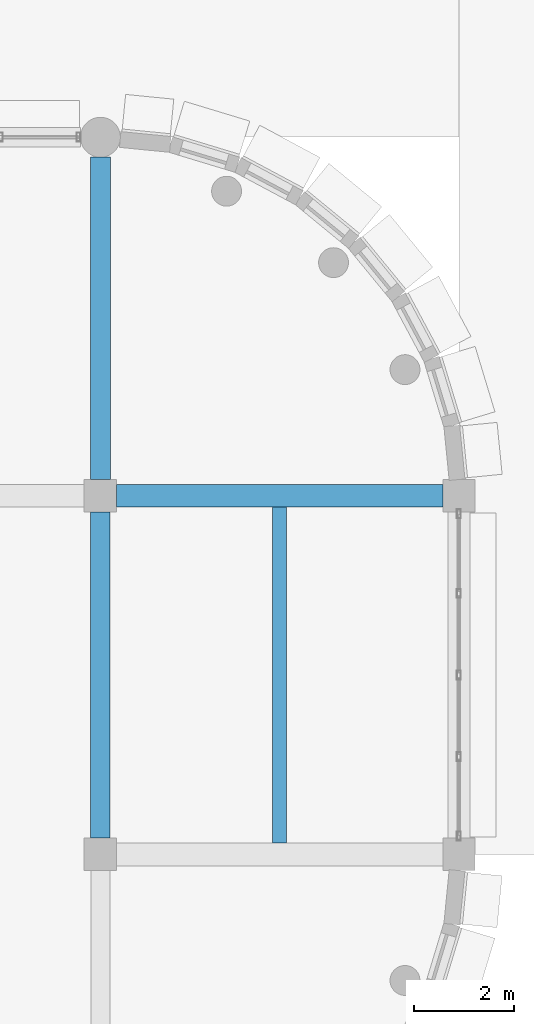
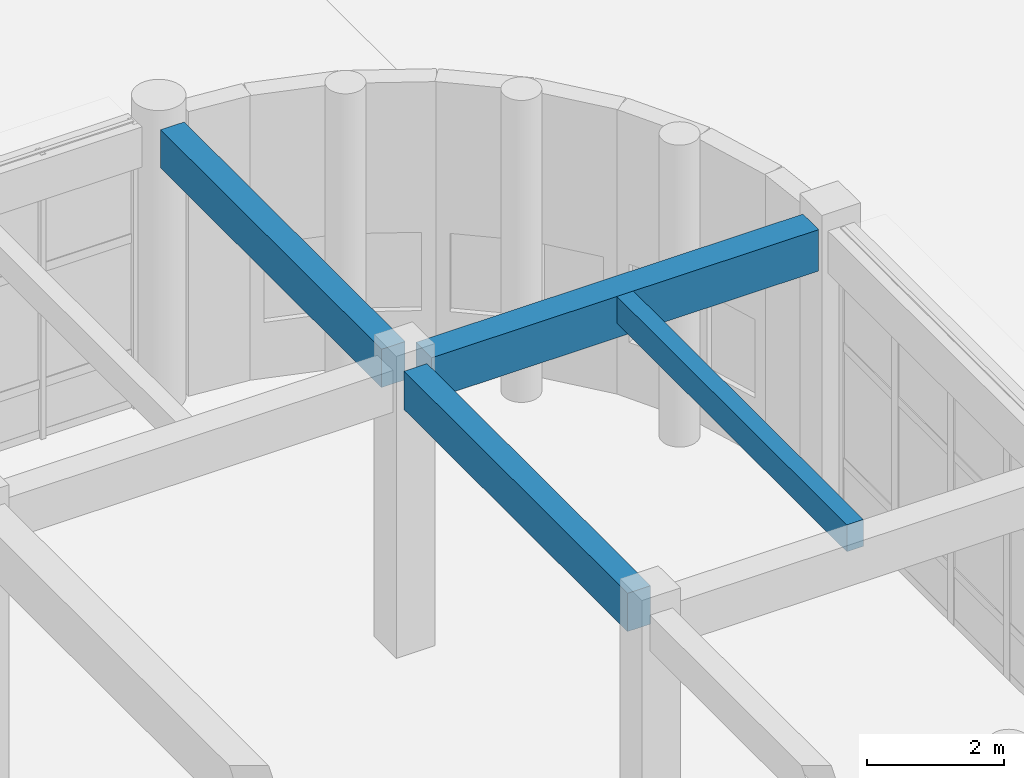
# One storey, part 71 of 160: 4 beams.
"""IFC4 building model written with IfcOpenShell, lengths in metres."""

import ifcopenshell
import ifcopenshell.guid

model = None  # the IFC model being written
_history = None  # IfcOwnerHistory: only IFC2X3 demands one
_inside = {}  # id of a spatial element -> (the spatial element, [elements in it])
_under = {}  # id of a project, library or spatial element -> (it, [spatial elements below it])
_declared = {}  # id of a project -> (the project, [libraries it declares])
_typed = {}  # id of a type object -> (the type object, [elements of that type])
_made_of = {}  # id of a material, layer set ... -> (it, [elements and type objects made of it])


def new_model(schema):
    """Start an empty IFC model of exactly this schema.

    Asked for "IFC4X3", IfcOpenShell would pick the latest addendum, in which some entities
    have other attributes; the version numbers below select the first issue.
    IFC2X3 requires an IfcOwnerHistory on every rooted entity: one is made here for all.
    """
    global model, _history
    if schema == "IFC4X3":
        model = ifcopenshell.file(schema_version=(4, 3, 0, 0))
    else:
        model = ifcopenshell.file(schema=schema)
    _inside.clear()
    _under.clear()
    _declared.clear()
    _typed.clear()
    _made_of.clear()
    _history = None
    if model.schema == "IFC2X3":
        org = make("IfcOrganization", Name="unknown")
        user = make(
            "IfcPersonAndOrganization",
            ThePerson=make("IfcPerson", FamilyName="unknown"),
            TheOrganization=org,
        )
        app = make(
            "IfcApplication",
            ApplicationDeveloper=org,
            Version="unknown",
            ApplicationFullName="unknown",
            ApplicationIdentifier="unknown",
        )
        _history = make(
            "IfcOwnerHistory",
            OwningUser=user,
            OwningApplication=app,
            ChangeAction="ADDED",
            CreationDate=0,
        )
    return model


def make(cls, **values):
    """One entity of the class cls with the attributes given. An attribute that is None is left unset."""
    return model.create_entity(
        cls, **{name: value for name, value in values.items() if value is not None}
    )


def rooted(cls, **values):
    """An entity with a GlobalId (a new one), such as an element, a storey or a relation."""
    return make(cls, GlobalId=ifcopenshell.guid.new(), OwnerHistory=_history, **values)


def si_unit(unit_type, name, prefix=None):
    """IfcSIUnit, for example si_unit("LENGTHUNIT", "METRE", prefix="MILLI")."""
    return make("IfcSIUnit", UnitType=unit_type, Prefix=prefix, Name=name)


def assignment(units):
    """IfcUnitAssignment: the units of a project."""
    return None if units is None else make("IfcUnitAssignment", Units=units)


def point(xyz):
    """IfcCartesianPoint."""
    return None if xyz is None else make("IfcCartesianPoint", Coordinates=xyz)


def direction(xyz):
    """IfcDirection."""
    return None if xyz is None else make("IfcDirection", DirectionRatios=xyz)


def frame(location, z_axis=None, x_axis=None):
    """IfcAxis2Placement3D, a coordinate frame: its origin and axes. An axis left out is left unset."""
    return make(
        "IfcAxis2Placement3D",
        Location=point(location),
        Axis=direction(z_axis),
        RefDirection=direction(x_axis),
    )


def frame_2d(location, x_axis=None):
    """IfcAxis2Placement2D, a coordinate frame in the plane: its origin and x axis."""
    return make(
        "IfcAxis2Placement2D", Location=point(location), RefDirection=direction(x_axis)
    )


def origin():
    """The frame at (0, 0, 0) with its axes left unset."""
    return frame((0.0, 0.0, 0.0))


def origin_2d():
    """The frame at (0, 0) in the plane with its x axis left unset."""
    return frame_2d((0.0, 0.0))


def place(relative_to, where):
    """IfcLocalPlacement: puts the frame where relative to a parent placement (None: the world)."""
    return make(
        "IfcLocalPlacement", PlacementRelTo=relative_to, RelativePlacement=where
    )


def context(
    kind, dimensions, precision=None, world=None, true_north=None, identifier=None
):
    """IfcGeometricRepresentationContext, for example the 3D "Model" context."""
    return make(
        "IfcGeometricRepresentationContext",
        ContextIdentifier=identifier,
        ContextType=kind,
        CoordinateSpaceDimension=dimensions,
        Precision=precision,
        WorldCoordinateSystem=world,
        TrueNorth=true_north,
    )


def subcontext(parent, identifier, kind, view, scale=None):
    """IfcGeometricRepresentationSubContext, for example "Body" below "Model"."""
    return make(
        "IfcGeometricRepresentationSubContext",
        ContextIdentifier=identifier,
        ContextType=kind,
        ParentContext=parent,
        TargetScale=scale,
        TargetView=view,
    )


def project(units=None, contexts=None):
    """IfcProject with its units and contexts."""
    return rooted(
        "IfcProject",
        Name="project",
        RepresentationContexts=contexts,
        UnitsInContext=assignment(units),
    )


def spatial(cls, under=None, at=None, **own):
    """A site, building, storey or space (cls), placed at a placement, below another one or the project."""
    s = rooted(cls, ObjectPlacement=at, **own)
    if under is not None:
        _under.setdefault(under.id(), (under, []))[1].append(s)
    return s


def profile(cls, at=None, kind="AREA", **sizes):
    """A parametric profile (cls). Its sizes go by their IFC names, for example OverallWidth=200.0."""
    return make(cls, ProfileType=kind, Position=at, **sizes)


def rectangle(**sizes):
    """IfcRectangleProfileDef."""
    return profile("IfcRectangleProfileDef", **sizes)


def extrude(swept, where, along, depth):
    """IfcExtrudedAreaSolid: the profile swept, set in the frame where, extruded along a direction by depth."""
    return make(
        "IfcExtrudedAreaSolid",
        SweptArea=swept,
        Position=where,
        ExtrudedDirection=direction(along),
        Depth=depth,
    )


def shape(context_of_items, identifier, shape_type, items):
    """IfcShapeRepresentation: the items that make up one representation, for example the "Body"."""
    return make(
        "IfcShapeRepresentation",
        ContextOfItems=context_of_items,
        RepresentationIdentifier=identifier,
        RepresentationType=shape_type,
        Items=items,
    )


def material(Name=None, Category=None):
    """IfcMaterial."""
    return make("IfcMaterial", Name=Name, Category=Category)


def material_profile(
    of_material, cross_section, Name=None, Category=None, Priority=None
):
    """IfcMaterialProfile: a cross section and its material."""
    return make(
        "IfcMaterialProfile",
        Name=Name,
        Material=of_material,
        Profile=cross_section,
        Priority=Priority,
        Category=Category,
    )


def profile_set(profiles, Name=None, composite=None):
    """IfcMaterialProfileSet."""
    return make(
        "IfcMaterialProfileSet",
        Name=Name,
        MaterialProfiles=profiles,
        CompositeProfile=composite,
    )


def made_of(thing, what):
    """Note that an element or type object is made of a material, layer set ...; save() writes the relation."""
    if what is not None:
        _made_of.setdefault(what.id(), (what, []))[1].append(thing)
    return thing


def type_object(cls, material=None, **own):
    """A type object (cls), such as IfcWallType, which elements share."""
    return made_of(rooted(cls, **own), material)


def element(
    cls,
    number,
    at=None,
    inside=None,
    cuts=None,
    type_object=None,
    material=None,
    context=None,
    identifier="Body",
    shape_type=None,
    held_by="IfcProductDefinitionShape",
    body=None,
    shapes=None,
    **own,
):
    """One element of the class cls, such as IfcWall. Its Tag is "e" and its number.

    at: its placement. inside: the storey or other place that contains it. cuts: it is an
    opening in that element (IfcRelVoidsElement). A single representation is given by context,
    identifier, shape_type and body (its items); several are given by shapes. held_by: the class
    of the entity that holds the representations. save() writes the other relations.
    """
    e = rooted(cls, Tag="e%d" % number, ObjectPlacement=at, **own)
    if body is not None:
        shapes = [shape(context, identifier, shape_type, body)]
    if shapes is not None:
        e.Representation = make(held_by, Representations=shapes)
    if inside is not None:
        _inside.setdefault(inside.id(), (inside, []))[1].append(e)
    if cuts is not None:
        rooted(
            "IfcRelVoidsElement", RelatingBuildingElement=cuts, RelatedOpeningElement=e
        )
    if type_object is not None:
        _typed.setdefault(type_object.id(), (type_object, []))[1].append(e)
    return made_of(e, material)


def aggregate(whole, parts):
    """IfcRelAggregates: a whole, such as a stair, and the parts it consists of."""
    return rooted("IfcRelAggregates", RelatingObject=whole, RelatedObjects=parts)


def save(model, path):
    """Write the relations noted so far, then the file.

    IfcRelAggregates (storeys below a building ...), IfcRelContainedInSpatialStructure (elements
    in a storey), IfcRelDefinesByType, IfcRelAssociatesMaterial and IfcRelDeclares: one each for
    every whole, place, type object, material and project.
    """
    for whole, parts in _under.values():
        aggregate(whole, parts)
    for where, things in _inside.values():
        rooted(
            "IfcRelContainedInSpatialStructure",
            RelatedElements=things,
            RelatingStructure=where,
        )
    for kind, things in _typed.values():
        rooted("IfcRelDefinesByType", RelatedObjects=things, RelatingType=kind)
    for what, things in _made_of.values():
        rooted("IfcRelAssociatesMaterial", RelatedObjects=things, RelatingMaterial=what)
    for by, libraries in _declared.values():
        rooted("IfcRelDeclares", RelatingContext=by, RelatedDefinitions=libraries)
    model.write(path)


model = new_model("IFC4")

# Units and contexts
model_context = context("Model", 3, precision=1e-05, world=origin(), true_north=direction((0.0, 1.0)))
body_context = subcontext(model_context, "Body", "Model", "MODEL_VIEW")
ifc_project = project(units=[si_unit("LENGTHUNIT", "METRE"), si_unit("AREAUNIT", "SQUARE_METRE"), si_unit("VOLUMEUNIT", "CUBIC_METRE"), si_unit("PLANEANGLEUNIT", "RADIAN"), si_unit("MASSUNIT", "GRAM", prefix="KILO")], contexts=[model_context])

# Site, building, storey
site_placement = place(None, origin())
site = spatial("IfcSite", under=ifc_project, at=site_placement, CompositionType="ELEMENT")
building_placement = place(site_placement, origin())
building = spatial("IfcBuilding", under=site, at=building_placement, Name="Thalmaran Polytechnic", CompositionType="ELEMENT")
storey_placement = place(building_placement, origin())
storey = spatial("IfcBuildingStorey", under=building, at=storey_placement, Name="L00", CompositionType="ELEMENT", Elevation=0.0)

# Beams
ifc_material = material(Name="Concrete C40/50", Category="concrete")
ifc_material_profile_1 = material_profile(ifc_material, rectangle(XDim=0.389892578125, YDim=0.68505859375, at=origin_2d()), Name="RC 390x685")
ifc_profile_set_1 = profile_set([ifc_material_profile_1], Name="Concrete C40/50")
beam_type_1 = type_object("IfcBeamType", Name="BM-RC08", PredefinedType="BEAM", material=ifc_profile_set_1)
beam_1_placement = place(storey_placement, frame((86.39990234375, 57.925048828125, 4.74755859375), z_axis=(0.0, 1.0, 0.0), x_axis=(-1.0, 0.0, 0.0)))
element("IfcBeam", 1, at=beam_1_placement, inside=storey, type_object=beam_type_1, Name="Grid Beam B08 L00 Y(12,8)", PredefinedType="BEAM", context=body_context, shape_type="SweptSolid", body=[
    extrude(rectangle(XDim=0.389892578125, YDim=0.68505859375, at=origin_2d()), origin(), (0.0, 0.0, 1.0), 6.550048828125),
])
ifc_material_profile_2 = material_profile(ifc_material, rectangle(XDim=0.4599609375, YDim=0.739990234375, at=origin_2d()), Name="RC 460x740")
ifc_profile_set_2 = profile_set([ifc_material_profile_2], Name="Concrete C40/50")
beam_type_2 = type_object("IfcBeamType", Name="BM-ZB02", PredefinedType="BEAM", material=ifc_profile_set_2)
beam_2_placement = place(storey_placement, frame((86.72509765625, 64.800048828125, 4.719970703125), z_axis=(1.0, 0.0, 0.0), x_axis=(0.0, 1.0, 0.0)))
element("IfcBeam", 2, at=beam_2_placement, inside=storey, type_object=beam_type_2, Name="Grid Beam ZB02 L00 X(12,9)", PredefinedType="BEAM", context=body_context, shape_type="SweptSolid", body=[
    extrude(rectangle(XDim=0.4599609375, YDim=0.739990234375, at=origin_2d()), origin(), (0.0, 0.0, 1.0), 6.5498046875),
])
ifc_material_profile_3 = material_profile(ifc_material, rectangle(XDim=0.39990234375, YDim=0.68505859375, at=origin_2d()), Name="RC 400x685")
ifc_profile_set_3 = profile_set([ifc_material_profile_3], Name="Concrete C40/50")
beam_type_3 = type_object("IfcBeamType", Name="BM-ZB07", PredefinedType="BEAM", material=ifc_profile_set_3)
beam_3_placement = place(storey_placement, frame((86.39990234375, 65.125, 4.74755859375), z_axis=(0.0, 1.0, 0.0), x_axis=(-1.0, 0.0, 0.0)))
element("IfcBeam", 3, at=beam_3_placement, inside=storey, type_object=beam_type_3, Name="Grid Beam ZB07 L00 Y(12,9)", PredefinedType="BEAM", context=body_context, shape_type="SweptSolid", body=[
    extrude(rectangle(XDim=0.39990234375, YDim=0.68505859375, at=origin_2d()), origin(), (0.0, 0.0, 1.0), 6.47509765625),
])
ifc_material_profile_4 = material_profile(ifc_material, rectangle(XDim=0.280029296875, YDim=0.47998046875, at=origin_2d()), Name="RC 280x480")
ifc_profile_set_4 = profile_set([ifc_material_profile_4], Name="Concrete C40/50")
beam_type_4 = type_object("IfcBeamType", Name="BM-ZJ01", PredefinedType="JOIST", material=ifc_profile_set_4)
beam_4_placement = place(storey_placement, frame((90.0, 57.830078125, 4.85009765625), z_axis=(0.0, 1.0, 0.0), x_axis=(-1.0, 0.0, 0.0)))
element("IfcBeam", 4, at=beam_4_placement, inside=storey, type_object=beam_type_4, Name="Secondary Floor Rib ZJ01 L00 (12,8)", PredefinedType="JOIST", context=body_context, shape_type="SweptSolid", body=[
    extrude(rectangle(XDim=0.280029296875, YDim=0.47998046875, at=origin_2d()), origin(), (0.0, 0.0, 1.0), 6.739990234375),
])

save(model, "model.ifc")
